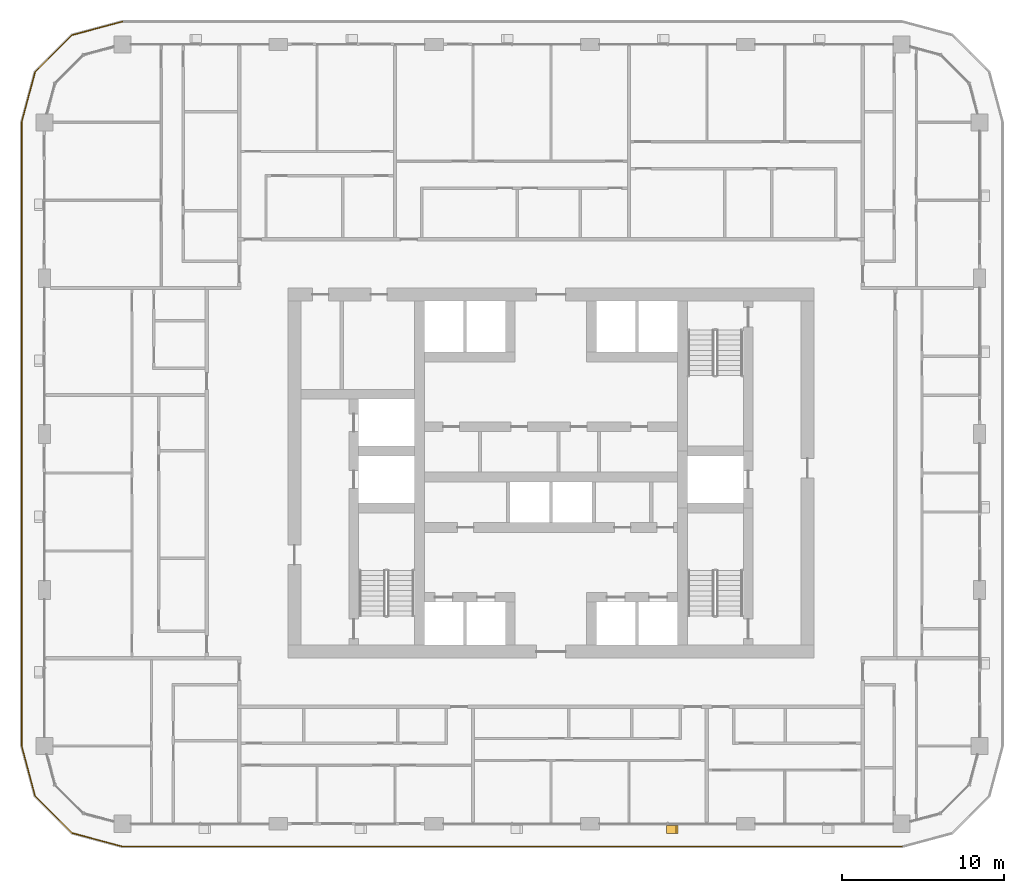
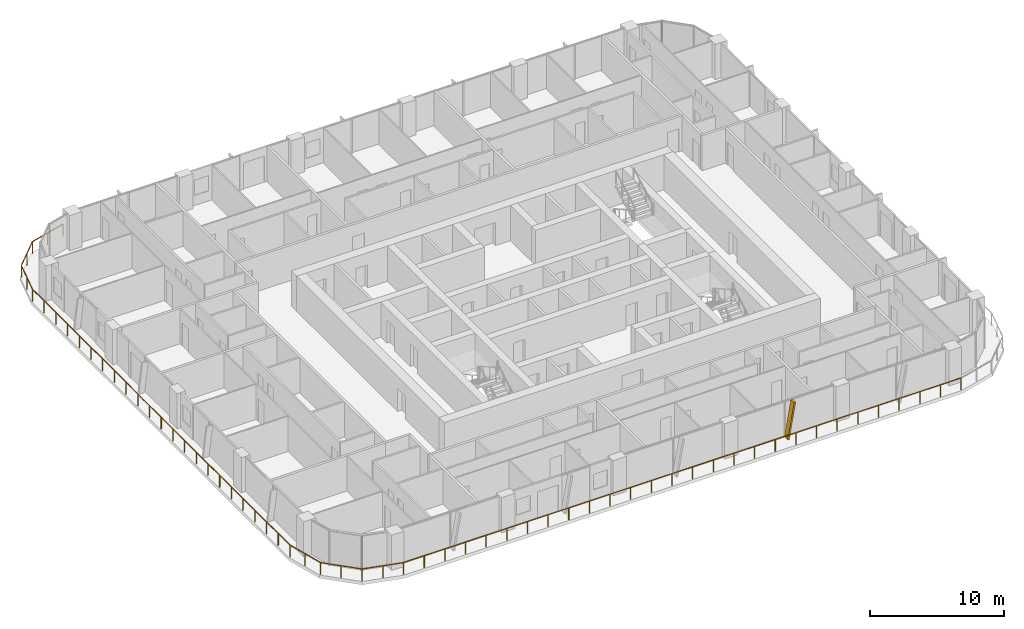
# One storey, part 18 of 22: 1 railing, 1 shading device.
"""IFC4 building model written with IfcOpenShell, lengths in metres."""

from ifc_helpers import new_model, si_unit, direction, frame, origin, origin_2d, place, context, subcontext, project, spatial, polyline, circle, outline, extrude, material, type_object, element, save


model = new_model("IFC4")

# Units and contexts
model_context = context("Model", 3, precision=1e-05, world=origin(), true_north=direction((0.0, 1.0)))
body_context = subcontext(model_context, "Body", "Model", "MODEL_VIEW")
ifc_project = project(units=[si_unit("LENGTHUNIT", "METRE"), si_unit("AREAUNIT", "SQUARE_METRE"), si_unit("VOLUMEUNIT", "CUBIC_METRE"), si_unit("PLANEANGLEUNIT", "RADIAN"), si_unit("MASSUNIT", "GRAM", prefix="KILO")], contexts=[model_context])

# Site, building, storey
site_placement = place(None, origin())
site = spatial("IfcSite", under=ifc_project, at=site_placement, CompositionType="ELEMENT")
building_placement = place(site_placement, origin())
building = spatial("IfcBuilding", under=site, at=building_placement, Name="Madar Terraces", CompositionType="ELEMENT")
storey_placement = place(building_placement, frame((0.0, 0.0, 136.60009765625)))
storey = spatial("IfcBuildingStorey", under=building, at=storey_placement, Name="L35", CompositionType="ELEMENT", Elevation=136.60009765625)

# Railing
ifc_material_1 = material(Name="Glass, safety glazing, with stainless steel posts", Category="steel")
railing_type = type_object("IfcRailingType", Name="Balcony glass guard 1100", PredefinedType="GUARDRAIL", material=ifc_material_1)
railing_placement = place(storey_placement, frame((4.800048828125, 54.199951171875, 0.0)))
element("IfcRailing", 1, at=railing_placement, inside=storey, type_object=railing_type, Name="Balcony guard", PredefinedType="GUARDRAIL", context=body_context, shape_type="SweptSolid", body=[
    extrude(circle(Radius=0.02392578125, at=origin_2d()), frame((0.0, 0.0, 1.076171875), z_axis=(-0.9659337912, -0.258789317819, 0.0), x_axis=(0.258789317819, -0.9659337912, 0.0)), (0.0, 0.0, 1.0), 3.20947265625),
    extrude(circle(Radius=0.02392578125, at=origin_2d()), frame((-3.10009765625, -0.83056640625, 1.076171875), z_axis=(-0.707106781187, -0.707106781187, 0.0), x_axis=(0.707106781187, -0.707106781187, 0.0)), (0.0, 0.0, 1.0), 3.209228515625),
    extrude(circle(Radius=0.02392578125, at=origin_2d()), frame((-5.369384765625, -3.099853515625, 1.076171875), z_axis=(-0.258789317819, -0.9659337912, 0.0), x_axis=(0.9659337912, -0.258789317819, 0.0)), (0.0, 0.0, 1.0), 3.20947265625),
    extrude(circle(Radius=0.02392578125, at=origin_2d()), frame((-6.199951171875, -6.199951171875, 1.076171875), z_axis=(0.0, -1.0, 0.0), x_axis=(1.0, 0.0, 0.0)), (0.0, 0.0, 1.0), 38.39990234375),
    extrude(circle(Radius=0.02392578125, at=origin_2d()), frame((-6.199951171875, -44.599853515625, 1.076171875), z_axis=(0.258789317819, -0.9659337912, 0.0), x_axis=(0.9659337912, 0.258789317819, 0.0)), (0.0, 0.0, 1.0), 3.20947265625),
    extrude(circle(Radius=0.02392578125, at=origin_2d()), frame((-5.369384765625, -47.699951171875, 1.076171875), z_axis=(0.707106781187, -0.707106781187, 0.0), x_axis=(0.707106781187, 0.707106781187, 0.0)), (0.0, 0.0, 1.0), 3.209228515625),
    extrude(circle(Radius=0.02392578125, at=origin_2d()), frame((-3.10009765625, -49.96923828125, 1.076171875), z_axis=(0.965914773555, -0.258860290944, 0.0), x_axis=(0.258860290944, 0.965914773555, 0.0)), (0.0, 0.0, 1.0), 3.20947265625),
    extrude(circle(Radius=0.02392578125, at=origin_2d()), frame((0.0, -50.800048828125, 1.076171875), z_axis=(1.0, 0.0, 0.0), x_axis=(0.0, 1.0, 0.0)), (0.0, 0.0, 1.0), 48.0),
    extrude(circle(Radius=0.02099609375, at=origin_2d()), origin(), (0.0, 0.0, 1.0), 1.052001953125),
    extrude(circle(Radius=0.02099609375, at=origin_2d()), frame((-1.550048828125, -0.415283203125, 0.0)), (0.0, 0.0, 1.0), 1.052001953125),
    extrude(circle(Radius=0.02099609375, at=origin_2d()), frame((-3.10009765625, -0.83056640625, 0.0)), (0.0, 0.0, 1.0), 1.052001953125),
    extrude(circle(Radius=0.02099609375, at=origin_2d()), frame((-4.23486328125, -1.96533203125, 0.0)), (0.0, 0.0, 1.0), 1.052001953125),
    extrude(circle(Radius=0.02099609375, at=origin_2d()), frame((-5.369384765625, -3.099853515625, 0.0)), (0.0, 0.0, 1.0), 1.052001953125),
    extrude(circle(Radius=0.02099609375, at=origin_2d()), frame((-5.78466796875, -4.64990234375, 0.0)), (0.0, 0.0, 1.0), 1.052001953125),
    extrude(circle(Radius=0.02099609375, at=origin_2d()), frame((-6.199951171875, -6.199951171875, 0.0)), (0.0, 0.0, 1.0), 1.052001953125),
    extrude(circle(Radius=0.02099609375, at=origin_2d()), frame((-6.199951171875, -7.9453125, 0.0)), (0.0, 0.0, 1.0), 1.052001953125),
    extrude(circle(Radius=0.02099609375, at=origin_2d()), frame((-6.199951171875, -9.69091796875, 0.0)), (0.0, 0.0, 1.0), 1.052001953125),
    extrude(circle(Radius=0.02099609375, at=origin_2d()), frame((-6.199951171875, -11.436279296875, 0.0)), (0.0, 0.0, 1.0), 1.052001953125),
    extrude(circle(Radius=0.02099609375, at=origin_2d()), frame((-6.199951171875, -13.181640625, 0.0)), (0.0, 0.0, 1.0), 1.052001953125),
    extrude(circle(Radius=0.02099609375, at=origin_2d()), frame((-6.199951171875, -14.92724609375, 0.0)), (0.0, 0.0, 1.0), 1.052001953125),
    extrude(circle(Radius=0.02099609375, at=origin_2d()), frame((-6.199951171875, -16.672607421875, 0.0)), (0.0, 0.0, 1.0), 1.052001953125),
    extrude(circle(Radius=0.02099609375, at=origin_2d()), frame((-6.199951171875, -18.418212890625, 0.0)), (0.0, 0.0, 1.0), 1.052001953125),
    extrude(circle(Radius=0.02099609375, at=origin_2d()), frame((-6.199951171875, -20.16357421875, 0.0)), (0.0, 0.0, 1.0), 1.052001953125),
    extrude(circle(Radius=0.02099609375, at=origin_2d()), frame((-6.199951171875, -21.908935546875, 0.0)), (0.0, 0.0, 1.0), 1.052001953125),
    extrude(circle(Radius=0.02099609375, at=origin_2d()), frame((-6.199951171875, -23.654541015625, 0.0)), (0.0, 0.0, 1.0), 1.052001953125),
    extrude(circle(Radius=0.02099609375, at=origin_2d()), frame((-6.199951171875, -25.39990234375, 0.0)), (0.0, 0.0, 1.0), 1.052001953125),
    extrude(circle(Radius=0.02099609375, at=origin_2d()), frame((-6.199951171875, -27.145263671875, 0.0)), (0.0, 0.0, 1.0), 1.052001953125),
    extrude(circle(Radius=0.02099609375, at=origin_2d()), frame((-6.199951171875, -28.890869140625, 0.0)), (0.0, 0.0, 1.0), 1.052001953125),
    extrude(circle(Radius=0.02099609375, at=origin_2d()), frame((-6.199951171875, -30.63623046875, 0.0)), (0.0, 0.0, 1.0), 1.052001953125),
    extrude(circle(Radius=0.02099609375, at=origin_2d()), frame((-6.199951171875, -32.381591796875, 0.0)), (0.0, 0.0, 1.0), 1.052001953125),
    extrude(circle(Radius=0.02099609375, at=origin_2d()), frame((-6.199951171875, -34.127197265625, 0.0)), (0.0, 0.0, 1.0), 1.052001953125),
    extrude(circle(Radius=0.02099609375, at=origin_2d()), frame((-6.199951171875, -35.87255859375, 0.0)), (0.0, 0.0, 1.0), 1.052001953125),
    extrude(circle(Radius=0.02099609375, at=origin_2d()), frame((-6.199951171875, -37.6181640625, 0.0)), (0.0, 0.0, 1.0), 1.052001953125),
    extrude(circle(Radius=0.02099609375, at=origin_2d()), frame((-6.199951171875, -39.363525390625, 0.0)), (0.0, 0.0, 1.0), 1.052001953125),
    extrude(circle(Radius=0.02099609375, at=origin_2d()), frame((-6.199951171875, -41.10888671875, 0.0)), (0.0, 0.0, 1.0), 1.052001953125),
    extrude(circle(Radius=0.02099609375, at=origin_2d()), frame((-6.199951171875, -42.8544921875, 0.0)), (0.0, 0.0, 1.0), 1.052001953125),
    extrude(circle(Radius=0.02099609375, at=origin_2d()), frame((-6.199951171875, -44.599853515625, 0.0)), (0.0, 0.0, 1.0), 1.052001953125),
    extrude(circle(Radius=0.02099609375, at=origin_2d()), frame((-5.78466796875, -46.14990234375, 0.0)), (0.0, 0.0, 1.0), 1.052001953125),
    extrude(circle(Radius=0.02099609375, at=origin_2d()), frame((-5.369384765625, -47.699951171875, 0.0)), (0.0, 0.0, 1.0), 1.052001953125),
    extrude(circle(Radius=0.02099609375, at=origin_2d()), frame((-4.23486328125, -48.83447265625, 0.0)), (0.0, 0.0, 1.0), 1.052001953125),
    extrude(circle(Radius=0.02099609375, at=origin_2d()), frame((-3.10009765625, -49.96923828125, 0.0)), (0.0, 0.0, 1.0), 1.052001953125),
    extrude(circle(Radius=0.02099609375, at=origin_2d()), frame((-1.550048828125, -50.384765625, 0.0)), (0.0, 0.0, 1.0), 1.052001953125),
    extrude(circle(Radius=0.02099609375, at=origin_2d()), frame((0.0, -50.800048828125, 0.0)), (0.0, 0.0, 1.0), 1.052001953125),
    extrude(circle(Radius=0.02099609375, at=origin_2d()), frame((1.77783203125, -50.800048828125, 0.0)), (0.0, 0.0, 1.0), 1.052001953125),
    extrude(circle(Radius=0.02099609375, at=origin_2d()), frame((3.5556640625, -50.800048828125, 0.0)), (0.0, 0.0, 1.0), 1.052001953125),
    extrude(circle(Radius=0.02099609375, at=origin_2d()), frame((5.333251953125, -50.800048828125, 0.0)), (0.0, 0.0, 1.0), 1.052001953125),
    extrude(circle(Radius=0.02099609375, at=origin_2d()), frame((7.111083984375, -50.800048828125, 0.0)), (0.0, 0.0, 1.0), 1.052001953125),
    extrude(circle(Radius=0.02099609375, at=origin_2d()), frame((8.888916015625, -50.800048828125, 0.0)), (0.0, 0.0, 1.0), 1.052001953125),
    extrude(circle(Radius=0.02099609375, at=origin_2d()), frame((10.666748046875, -50.800048828125, 0.0)), (0.0, 0.0, 1.0), 1.052001953125),
    extrude(circle(Radius=0.02099609375, at=origin_2d()), frame((12.4443359375, -50.800048828125, 0.0)), (0.0, 0.0, 1.0), 1.052001953125),
    extrude(circle(Radius=0.02099609375, at=origin_2d()), frame((14.22216796875, -50.800048828125, 0.0)), (0.0, 0.0, 1.0), 1.052001953125),
    extrude(circle(Radius=0.02099609375, at=origin_2d()), frame((16.0, -50.800048828125, 0.0)), (0.0, 0.0, 1.0), 1.052001953125),
    extrude(circle(Radius=0.02099609375, at=origin_2d()), frame((17.77783203125, -50.800048828125, 0.0)), (0.0, 0.0, 1.0), 1.052001953125),
    extrude(circle(Radius=0.02099609375, at=origin_2d()), frame((19.5556640625, -50.800048828125, 0.0)), (0.0, 0.0, 1.0), 1.052001953125),
    extrude(circle(Radius=0.02099609375, at=origin_2d()), frame((21.333251953125, -50.800048828125, 0.0)), (0.0, 0.0, 1.0), 1.052001953125),
    extrude(circle(Radius=0.02099609375, at=origin_2d()), frame((23.111083984375, -50.800048828125, 0.0)), (0.0, 0.0, 1.0), 1.052001953125),
    extrude(circle(Radius=0.02099609375, at=origin_2d()), frame((24.888916015625, -50.800048828125, 0.0)), (0.0, 0.0, 1.0), 1.052001953125),
    extrude(circle(Radius=0.02099609375, at=origin_2d()), frame((26.666748046875, -50.800048828125, 0.0)), (0.0, 0.0, 1.0), 1.052001953125),
    extrude(circle(Radius=0.02099609375, at=origin_2d()), frame((28.4443359375, -50.800048828125, 0.0)), (0.0, 0.0, 1.0), 1.052001953125),
    extrude(circle(Radius=0.02099609375, at=origin_2d()), frame((30.22216796875, -50.800048828125, 0.0)), (0.0, 0.0, 1.0), 1.052001953125),
    extrude(circle(Radius=0.02099609375, at=origin_2d()), frame((32.0, -50.800048828125, 0.0)), (0.0, 0.0, 1.0), 1.052001953125),
    extrude(circle(Radius=0.02099609375, at=origin_2d()), frame((33.77783203125, -50.800048828125, 0.0)), (0.0, 0.0, 1.0), 1.052001953125),
    extrude(circle(Radius=0.02099609375, at=origin_2d()), frame((35.5556640625, -50.800048828125, 0.0)), (0.0, 0.0, 1.0), 1.052001953125),
    extrude(circle(Radius=0.02099609375, at=origin_2d()), frame((37.333251953125, -50.800048828125, 0.0)), (0.0, 0.0, 1.0), 1.052001953125),
    extrude(circle(Radius=0.02099609375, at=origin_2d()), frame((39.111083984375, -50.800048828125, 0.0)), (0.0, 0.0, 1.0), 1.052001953125),
    extrude(circle(Radius=0.02099609375, at=origin_2d()), frame((40.888916015625, -50.800048828125, 0.0)), (0.0, 0.0, 1.0), 1.052001953125),
    extrude(circle(Radius=0.02099609375, at=origin_2d()), frame((42.666748046875, -50.800048828125, 0.0)), (0.0, 0.0, 1.0), 1.052001953125),
    extrude(circle(Radius=0.02099609375, at=origin_2d()), frame((44.4443359375, -50.800048828125, 0.0)), (0.0, 0.0, 1.0), 1.052001953125),
    extrude(circle(Radius=0.02099609375, at=origin_2d()), frame((46.22216796875, -50.800048828125, 0.0)), (0.0, 0.0, 1.0), 1.052001953125),
    extrude(circle(Radius=0.02099609375, at=origin_2d()), frame((48.0, -50.800048828125, 0.0)), (0.0, 0.0, 1.0), 1.052001953125),
])

# Shading device
ifc_material_2 = material(Name="Aluminium, black anodised", Category="aluminium")
shading_device_type = type_object("IfcShadingDeviceType", Name="Facade fin blade 140 x 500", PredefinedType="USERDEFINED", material=ifc_material_2)
shading_device_placement = place(storey_placement, frame((38.330078125, 4.449951171875, 0.0), z_axis=(0.0, 0.0, 1.0), x_axis=(1.0, 0.0, 0.0)))
element("IfcShadingDevice", 2, at=shading_device_placement, inside=storey, type_object=shading_device_type, Name="FIN L35 S4", ObjectType="FIN", PredefinedType="USERDEFINED", context=body_context, shape_type="SweptSolid", body=[
    extrude(outline(polyline([(0.0, 0.0), (0.139892578125, 0.0), (0.704345703125, 3.199951171875), (0.564208984375, 3.199951171875), (0.0, 0.0)])), frame((0.0, 0.25, 0.0), z_axis=(0.0, -1.0, 0.0), x_axis=(1.0, 0.0, 0.0)), (0.0, 0.0, 1.0), 0.5),
])

save(model, "model.ifc")
